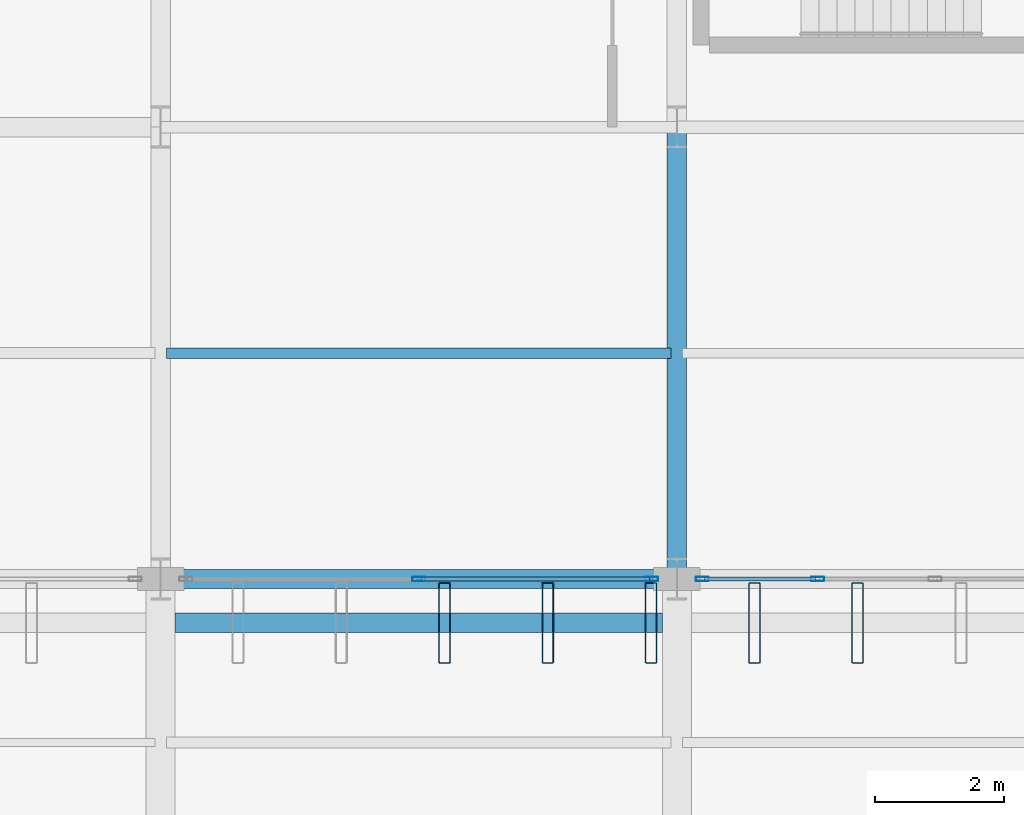
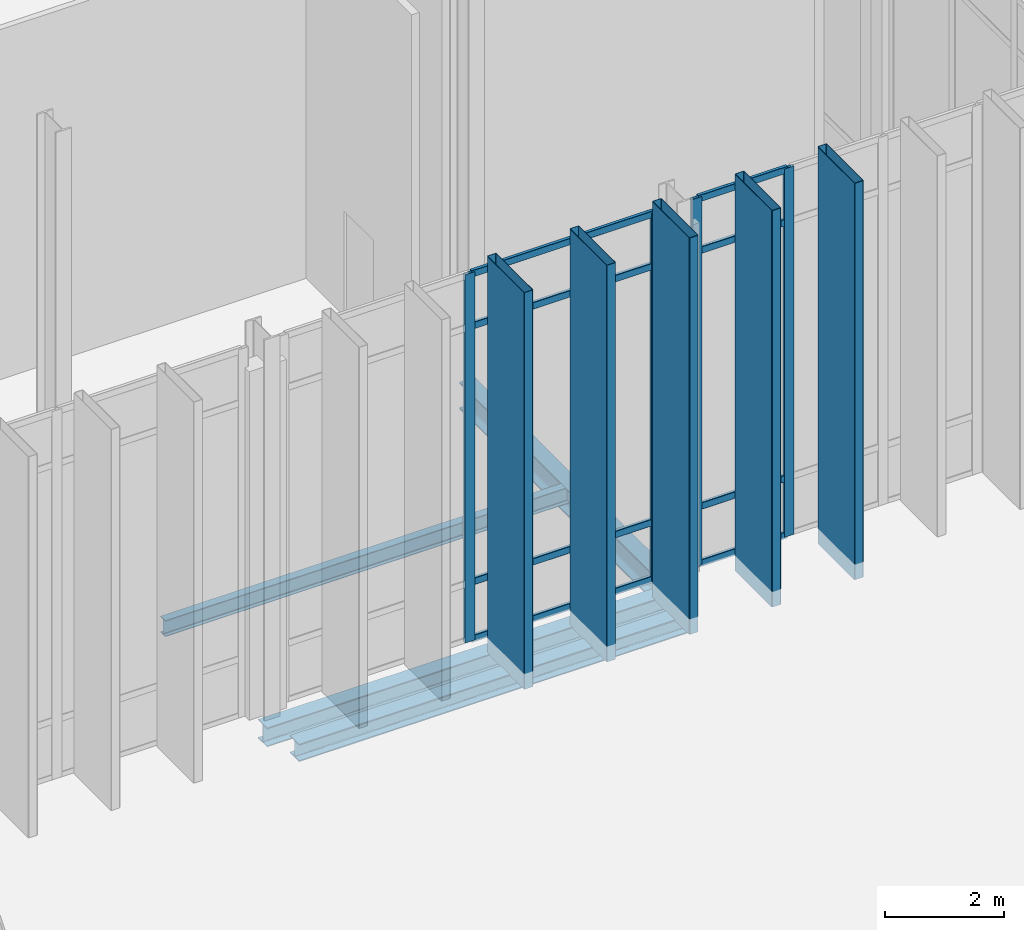
# One storey, part 53 of 176: 17 members, 4 beams, 2 elements without a shape of their own.
"""IFC4 building model written with IfcOpenShell, lengths in metres."""

from ifc_helpers import new_model, si_unit, direction, frame, origin, origin_2d, place, context, subcontext, project, spatial, hollow_rectangle, i_section, extrude, material, layer, layer_set, material_profile, profile_set, type_object, element, aggregate, save


model = new_model("IFC4")

# Units and contexts
model_context = context("Model", 3, precision=1e-05, world=origin(), true_north=direction((0.0, 1.0)))
body_context = subcontext(model_context, "Body", "Model", "MODEL_VIEW")
ifc_project = project(units=[si_unit("LENGTHUNIT", "METRE"), si_unit("AREAUNIT", "SQUARE_METRE"), si_unit("VOLUMEUNIT", "CUBIC_METRE"), si_unit("PLANEANGLEUNIT", "RADIAN"), si_unit("MASSUNIT", "GRAM", prefix="KILO")], contexts=[model_context])

# Site, building, storey
site_placement = place(None, origin())
site = spatial("IfcSite", under=ifc_project, at=site_placement, CompositionType="ELEMENT")
building_placement = place(site_placement, origin())
building = spatial("IfcBuilding", under=site, at=building_placement, Name="Vekula Escarpment Museum", CompositionType="ELEMENT")
storey_placement = place(building_placement, origin())
storey = spatial("IfcBuildingStorey", under=building, at=storey_placement, Name="L01", CompositionType="ELEMENT", Elevation=0.0)

# Beams
ifc_material_1 = material(Name="Steel S355", Category="steel")
ifc_material_profile_1 = material_profile(ifc_material_1, i_section(OverallWidth=0.300048828125, OverallDepth=0.360107421875, WebThickness=0.012451171875, FlangeThickness=0.0224609375, FilletRadius=0.027099609375, at=origin_2d()), Name="HEB 360")
ifc_profile_set_1 = profile_set([ifc_material_profile_1], Name="Steel S355")
beam_type_1 = type_object("IfcBeamType", Name="BM-GIRD-HEB360", PredefinedType="BEAM", material=ifc_profile_set_1)
beam_1_placement = place(storey_placement, frame((110.22509765625, 44.919921875, -0.47998046875), z_axis=(1.0, 0.0, 0.0), x_axis=(0.0, 1.0, 0.0)))
element("IfcBeam", 1, at=beam_1_placement, inside=storey, type_object=beam_type_1, Name="Solar Fin Sill Girder 006", PredefinedType="BEAM", context=body_context, shape_type="SweptSolid", body=[
    extrude(i_section(OverallWidth=0.300048828125, OverallDepth=0.360107421875, WebThickness=0.012451171875, FlangeThickness=0.0224609375, FilletRadius=0.027099609375, at=origin_2d()), origin(), (0.0, 0.0, 1.0), 7.5498046875),
])
ifc_material_2 = material(Name="Steel S355", Category="steel")
ifc_material_profile_2 = material_profile(ifc_material_2, i_section(OverallWidth=0.300048828125, OverallDepth=0.550048828125, WebThickness=0.014892578125, FlangeThickness=0.029052734375, FilletRadius=0.027099609375, at=origin_2d()), Name="HEB 550")
ifc_profile_set_2 = profile_set([ifc_material_profile_2], Name="Steel S355")
beam_type_2 = type_object("IfcBeamType", Name="BM-GIRD-HEB550", PredefinedType="BEAM", material=ifc_profile_set_2)
beam_2_placement = place(storey_placement, frame((118.0, 45.60009765625, -0.574951171875), z_axis=(0.0, 1.0, 0.0), x_axis=(-1.0, 0.0, 0.0)))
element("IfcBeam", 2, at=beam_2_placement, inside=storey, type_object=beam_type_2, Name="Beam Y L01 0636", PredefinedType="BEAM", context=body_context, shape_type="SweptSolid", body=[
    extrude(i_section(OverallWidth=0.300048828125, OverallDepth=0.550048828125, WebThickness=0.014892578125, FlangeThickness=0.029052734375, FilletRadius=0.027099609375, at=origin_2d()), origin(), (0.0, 0.0, 1.0), 7.0),
])
ifc_material_3 = material(Name="Steel S355", Category="steel")
ifc_material_profile_3 = material_profile(ifc_material_3, i_section(OverallWidth=0.159912109375, OverallDepth=0.330078125, WebThickness=0.007568359375, FlangeThickness=0.011474609375, FilletRadius=0.01806640625, at=origin_2d()), Name="IPE 330")
ifc_profile_set_3 = profile_set([ifc_material_profile_3], Name="Steel S355")
beam_type_3 = type_object("IfcBeamType", Name="BM-JST-IPE330", PredefinedType="JOIST", material=ifc_profile_set_3)
beam_3_placement = place(storey_placement, frame((110.090087890625, 49.10009765625, -0.465087890625), z_axis=(1.0, 0.0, 0.0), x_axis=(0.0, 1.0, 0.0)))
element("IfcBeam", 3, at=beam_3_placement, inside=storey, type_object=beam_type_3, Name="Secondary Joist L01 0363", PredefinedType="JOIST", context=body_context, shape_type="SweptSolid", body=[
    extrude(i_section(OverallWidth=0.159912109375, OverallDepth=0.330078125, WebThickness=0.007568359375, FlangeThickness=0.011474609375, FilletRadius=0.01806640625, at=origin_2d()), origin(), (0.0, 0.0, 1.0), 7.81982421875),
])
ifc_material_4 = material(Name="Steel S355", Category="steel")
ifc_material_profile_4 = material_profile(ifc_material_4, i_section(OverallWidth=0.300048828125, OverallDepth=0.389892578125, WebThickness=0.010986328125, FlangeThickness=0.01904296875, FilletRadius=0.027099609375, at=origin_2d()), Name="HEA 400")
ifc_profile_set_4 = profile_set([ifc_material_profile_4], Name="Steel S355")
beam_type_4 = type_object("IfcBeamType", Name="BM-SPAN-HEA400", PredefinedType="SPANDREL", material=ifc_profile_set_4)
beam_4_placement = place(storey_placement, frame((110.0, 45.60009765625, -0.4951171875), z_axis=(1.0, 0.0, 0.0), x_axis=(0.0, 1.0, 0.0)))
element("IfcBeam", 4, at=beam_4_placement, inside=storey, type_object=beam_type_4, Name="Beam X L01 0130", PredefinedType="SPANDREL", context=body_context, shape_type="SweptSolid", body=[
    extrude(i_section(OverallWidth=0.300048828125, OverallDepth=0.389892578125, WebThickness=0.010986328125, FlangeThickness=0.01904296875, FilletRadius=0.027099609375, at=origin_2d()), origin(), (0.0, 0.0, 1.0), 8.0),
])

# Curtain wall, members
ifc_material_5 = material(Name="Aluminium thermally broken framing", Category="aluminium")
ifc_layer_1 = layer(ifc_material_5, 0.179931640625)
ifc_layer_set_1 = layer_set([ifc_layer_1], Name="Aluminium thermally broken framing")
curtain_wall_type_1 = type_object("IfcCurtainWallType", Name="CW-SYS-08", PredefinedType="NOTDEFINED", material=ifc_layer_set_1)
curtain_wall_1_placement = place(storey_placement, origin())
curtain_wall_1 = element("IfcCurtainWall", 5, at=curtain_wall_1_placement, inside=storey, type_object=curtain_wall_type_1, Name="Curtain Wall CW-L01-008", PredefinedType="NOTDEFINED")
ifc_material_6 = material(Name="Aluminium anodized mullion", Category="aluminium")
ifc_material_profile_5 = material_profile(ifc_material_6, hollow_rectangle(XDim=0.06494140625, YDim=0.199951171875, WallThickness=0.00390625, InnerFilletRadius=0.00390625, OuterFilletRadius=0.008056640625, at=origin_2d()), Name="ALU 200x65x4")
ifc_profile_set_5 = profile_set([ifc_material_profile_5], Name="Aluminium anodized mullion")
member_type_1 = type_object("IfcMemberType", Name="CW-MUL-200", PredefinedType="MULLION", material=ifc_profile_set_5)
member_1_placement = place(storey_placement, frame((114.0, 45.60009765625, 0.0), z_axis=(0.0, 0.0, 1.0), x_axis=(0.0, 1.0, 0.0)))
member_1 = element("IfcMember", 6, at=member_1_placement, type_object=member_type_1, Name="CW-08 mullion 2", PredefinedType="MULLION", context=body_context, shape_type="SweptSolid", body=[
    extrude(hollow_rectangle(XDim=0.06494140625, YDim=0.199951171875, WallThickness=0.00390625, InnerFilletRadius=0.00390625, OuterFilletRadius=0.008056640625, at=origin_2d()), origin(), (0.0, 0.0, 1.0), 7.5400390625),
])
member_2_placement = place(storey_placement, frame((117.607421875, 45.60009765625, 0.0), z_axis=(0.0, 0.0, 1.0), x_axis=(0.0, 1.0, 0.0)))
member_2 = element("IfcMember", 7, at=member_2_placement, type_object=member_type_1, Name="CW-08 mullion 3", PredefinedType="MULLION", context=body_context, shape_type="SweptSolid", body=[
    extrude(hollow_rectangle(XDim=0.06494140625, YDim=0.199951171875, WallThickness=0.00390625, InnerFilletRadius=0.00390625, OuterFilletRadius=0.008056640625, at=origin_2d()), origin(), (0.0, 0.0, 1.0), 7.5400390625),
])

ifc_material_7 = material(Name="Aluminium thermally broken framing", Category="aluminium")
ifc_layer_2 = layer(ifc_material_7, 0.14990234375)
ifc_layer_set_2 = layer_set([ifc_layer_2], Name="Aluminium thermally broken framing")
curtain_wall_type_2 = type_object("IfcCurtainWallType", Name="CW-SYS-09", PredefinedType="NOTDEFINED", material=ifc_layer_set_2)
curtain_wall_2_placement = place(storey_placement, origin())
curtain_wall_2 = element("IfcCurtainWall", 8, at=curtain_wall_2_placement, inside=storey, type_object=curtain_wall_type_2, Name="Curtain Wall CW-L01-009", PredefinedType="NOTDEFINED")
member_3_placement = place(storey_placement, frame((118.392578125, 45.60009765625, 0.0), z_axis=(0.0, 0.0, 1.0), x_axis=(0.0, 1.0, 0.0)))
member_3 = element("IfcMember", 9, at=member_3_placement, type_object=member_type_1, Name="CW-09 mullion 1", PredefinedType="MULLION", context=body_context, shape_type="SweptSolid", body=[
    extrude(hollow_rectangle(XDim=0.06494140625, YDim=0.199951171875, WallThickness=0.00390625, InnerFilletRadius=0.00390625, OuterFilletRadius=0.008056640625, at=origin_2d()), origin(), (0.0, 0.0, 1.0), 7.5400390625),
])
member_4_placement = place(storey_placement, frame((120.179931640625, 45.60009765625, 0.0), z_axis=(0.0, 0.0, 1.0), x_axis=(0.0, 1.0, 0.0)))
member_4 = element("IfcMember", 10, at=member_4_placement, type_object=member_type_1, Name="CW-09 mullion 2", PredefinedType="MULLION", context=body_context, shape_type="SweptSolid", body=[
    extrude(hollow_rectangle(XDim=0.06494140625, YDim=0.199951171875, WallThickness=0.00390625, InnerFilletRadius=0.00390625, OuterFilletRadius=0.008056640625, at=origin_2d()), origin(), (0.0, 0.0, 1.0), 7.5400390625),
])

# Member
ifc_material_8 = material(Name="Aluminium anodized transom", Category="aluminium")
ifc_material_profile_6 = material_profile(ifc_material_8, hollow_rectangle(XDim=0.06494140625, YDim=0.139892578125, WallThickness=0.00390625, InnerFilletRadius=0.00390625, OuterFilletRadius=0.008056640625, at=origin_2d()), Name="ALU 140x65x4")
ifc_profile_set_6 = profile_set([ifc_material_profile_6], Name="Aluminium anodized transom")
member_type_2 = type_object("IfcMemberType", Name="CW-TRN-140", PredefinedType="USERDEFINED", material=ifc_profile_set_6)
member_5_placement = place(storey_placement, frame((114.032470703125, 45.60009765625, 0.032470703125), z_axis=(1.0, 0.0, 0.0), x_axis=(0.0, 1.0, 0.0)))
member_5 = element("IfcMember", 11, at=member_5_placement, type_object=member_type_2, Name="CW-08 transom 2.1", ObjectType="TRANSOM", PredefinedType="USERDEFINED", context=body_context, shape_type="SweptSolid", body=[
    extrude(hollow_rectangle(XDim=0.06494140625, YDim=0.139892578125, WallThickness=0.00390625, InnerFilletRadius=0.00390625, OuterFilletRadius=0.008056640625, at=origin_2d()), origin(), (0.0, 0.0, 1.0), 3.54248046875),
])

member_6_placement = place(storey_placement, frame((114.032470703125, 45.60009765625, 1.199951171875), z_axis=(1.0, 0.0, 0.0), x_axis=(0.0, 1.0, 0.0)))
member_6 = element("IfcMember", 12, at=member_6_placement, type_object=member_type_2, Name="CW-08 transom 2.2", ObjectType="TRANSOM", PredefinedType="USERDEFINED", context=body_context, shape_type="SweptSolid", body=[
    extrude(hollow_rectangle(XDim=0.06494140625, YDim=0.139892578125, WallThickness=0.00390625, InnerFilletRadius=0.00390625, OuterFilletRadius=0.008056640625, at=origin_2d()), origin(), (0.0, 0.0, 1.0), 3.54248046875),
])

member_7_placement = place(storey_placement, frame((114.032470703125, 45.60009765625, 6.43994140625), z_axis=(1.0, 0.0, 0.0), x_axis=(0.0, 1.0, 0.0)))
member_7 = element("IfcMember", 13, at=member_7_placement, type_object=member_type_2, Name="CW-08 transom 2.3", ObjectType="TRANSOM", PredefinedType="USERDEFINED", context=body_context, shape_type="SweptSolid", body=[
    extrude(hollow_rectangle(XDim=0.06494140625, YDim=0.139892578125, WallThickness=0.00390625, InnerFilletRadius=0.00390625, OuterFilletRadius=0.008056640625, at=origin_2d()), origin(), (0.0, 0.0, 1.0), 3.54248046875),
])

member_8_placement = place(storey_placement, frame((114.032470703125, 45.60009765625, 7.507568359375), z_axis=(1.0, 0.0, 0.0), x_axis=(0.0, 1.0, 0.0)))
member_8 = element("IfcMember", 14, at=member_8_placement, type_object=member_type_2, Name="CW-08 transom 2.4", ObjectType="TRANSOM", PredefinedType="USERDEFINED", context=body_context, shape_type="SweptSolid", body=[
    extrude(hollow_rectangle(XDim=0.06494140625, YDim=0.139892578125, WallThickness=0.00390625, InnerFilletRadius=0.00390625, OuterFilletRadius=0.008056640625, at=origin_2d()), origin(), (0.0, 0.0, 1.0), 3.54248046875),
])

aggregate(curtain_wall_1, [member_1, member_2, member_5, member_6, member_7, member_8])

member_9_placement = place(storey_placement, frame((118.425048828125, 45.60009765625, 0.032470703125), z_axis=(1.0, 0.0, 0.0), x_axis=(0.0, 1.0, 0.0)))
member_9 = element("IfcMember", 15, at=member_9_placement, type_object=member_type_2, Name="CW-09 transom 1.1", ObjectType="TRANSOM", PredefinedType="USERDEFINED", context=body_context, shape_type="SweptSolid", body=[
    extrude(hollow_rectangle(XDim=0.06494140625, YDim=0.139892578125, WallThickness=0.00390625, InnerFilletRadius=0.00390625, OuterFilletRadius=0.008056640625, at=origin_2d()), origin(), (0.0, 0.0, 1.0), 1.722412109375),
])

member_10_placement = place(storey_placement, frame((118.425048828125, 45.60009765625, 1.199951171875), z_axis=(1.0, 0.0, 0.0), x_axis=(0.0, 1.0, 0.0)))
member_10 = element("IfcMember", 16, at=member_10_placement, type_object=member_type_2, Name="CW-09 transom 1.2", ObjectType="TRANSOM", PredefinedType="USERDEFINED", context=body_context, shape_type="SweptSolid", body=[
    extrude(hollow_rectangle(XDim=0.06494140625, YDim=0.139892578125, WallThickness=0.00390625, InnerFilletRadius=0.00390625, OuterFilletRadius=0.008056640625, at=origin_2d()), origin(), (0.0, 0.0, 1.0), 1.722412109375),
])

member_11_placement = place(storey_placement, frame((118.425048828125, 45.60009765625, 6.43994140625), z_axis=(1.0, 0.0, 0.0), x_axis=(0.0, 1.0, 0.0)))
member_11 = element("IfcMember", 17, at=member_11_placement, type_object=member_type_2, Name="CW-09 transom 1.3", ObjectType="TRANSOM", PredefinedType="USERDEFINED", context=body_context, shape_type="SweptSolid", body=[
    extrude(hollow_rectangle(XDim=0.06494140625, YDim=0.139892578125, WallThickness=0.00390625, InnerFilletRadius=0.00390625, OuterFilletRadius=0.008056640625, at=origin_2d()), origin(), (0.0, 0.0, 1.0), 1.722412109375),
])

member_12_placement = place(storey_placement, frame((118.425048828125, 45.60009765625, 7.507568359375), z_axis=(1.0, 0.0, 0.0), x_axis=(0.0, 1.0, 0.0)))
member_12 = element("IfcMember", 18, at=member_12_placement, type_object=member_type_2, Name="CW-09 transom 1.4", ObjectType="TRANSOM", PredefinedType="USERDEFINED", context=body_context, shape_type="SweptSolid", body=[
    extrude(hollow_rectangle(XDim=0.06494140625, YDim=0.139892578125, WallThickness=0.00390625, InnerFilletRadius=0.00390625, OuterFilletRadius=0.008056640625, at=origin_2d()), origin(), (0.0, 0.0, 1.0), 1.722412109375),
])

aggregate(curtain_wall_2, [member_3, member_4, member_9, member_10, member_11, member_12])

# Members
ifc_material_9 = material(Name="Steel S355 weathered bronze solar fin", Category="steel")
ifc_material_profile_7 = material_profile(ifc_material_9, hollow_rectangle(XDim=0.179931640625, YDim=1.25, WallThickness=0.010009765625, InnerFilletRadius=0.010009765625, OuterFilletRadius=0.02001953125, at=origin_2d()), Name="RHS 1250x180x10")
ifc_profile_set_7 = profile_set([ifc_material_profile_7], Name="Steel S355 weathered bronze solar fin")
member_type_3 = type_object("IfcMemberType", Name="MB-SOLAR-FIN", PredefinedType="USERDEFINED", material=ifc_profile_set_7)
for number, where, z_axis, x_axis, name in (
    (19, (114.39990234375, 44.919921875, -0.320068359375), (0.0, 0.0, 1.0), (1.0, 0.0, 0.0), "Great Hall Vertical Solar Fin 0096"),
    (20, (116.0, 44.919921875, -0.320068359375), (0.0, 0.0, 1.0), (1.0, 0.0, 0.0), "Great Hall Vertical Solar Fin 0101"),
    (21, (117.60009765625, 44.919921875, -0.320068359375), (0.0, 0.0, 1.0), (1.0, 0.0, 0.0), "Great Hall Vertical Solar Fin 0106"),
    (22, (119.199951171875, 44.919921875, -0.320068359375), (0.0, 0.0, 1.0), (1.0, 0.0, 0.0), "Great Hall Vertical Solar Fin 0111"),
    (23, (120.800048828125, 44.919921875, -0.320068359375), (0.0, 0.0, 1.0), (1.0, 0.0, 0.0), "Great Hall Vertical Solar Fin 0116"),
):
    element("IfcMember", number, at=place(storey_placement, frame(where, z_axis=z_axis, x_axis=x_axis)), inside=storey, type_object=member_type_3, Name=name, ObjectType="SOLAR FIN", PredefinedType="USERDEFINED", context=body_context, shape_type="SweptSolid", body=[
        extrude(hollow_rectangle(XDim=0.179931640625, YDim=1.25, WallThickness=0.010009765625, InnerFilletRadius=0.010009765625, OuterFilletRadius=0.02001953125, at=origin_2d()), origin(), (0.0, 0.0, 1.0), 8.1201171875),
    ])

save(model, "model.ifc")
